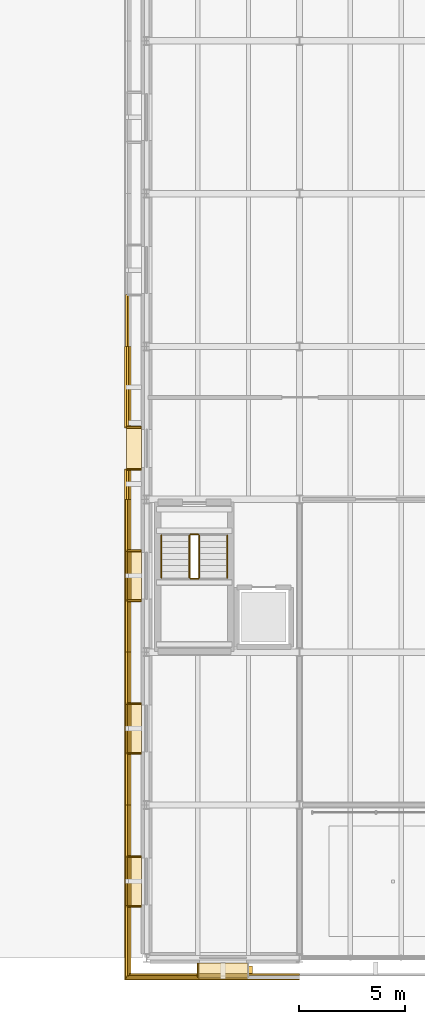
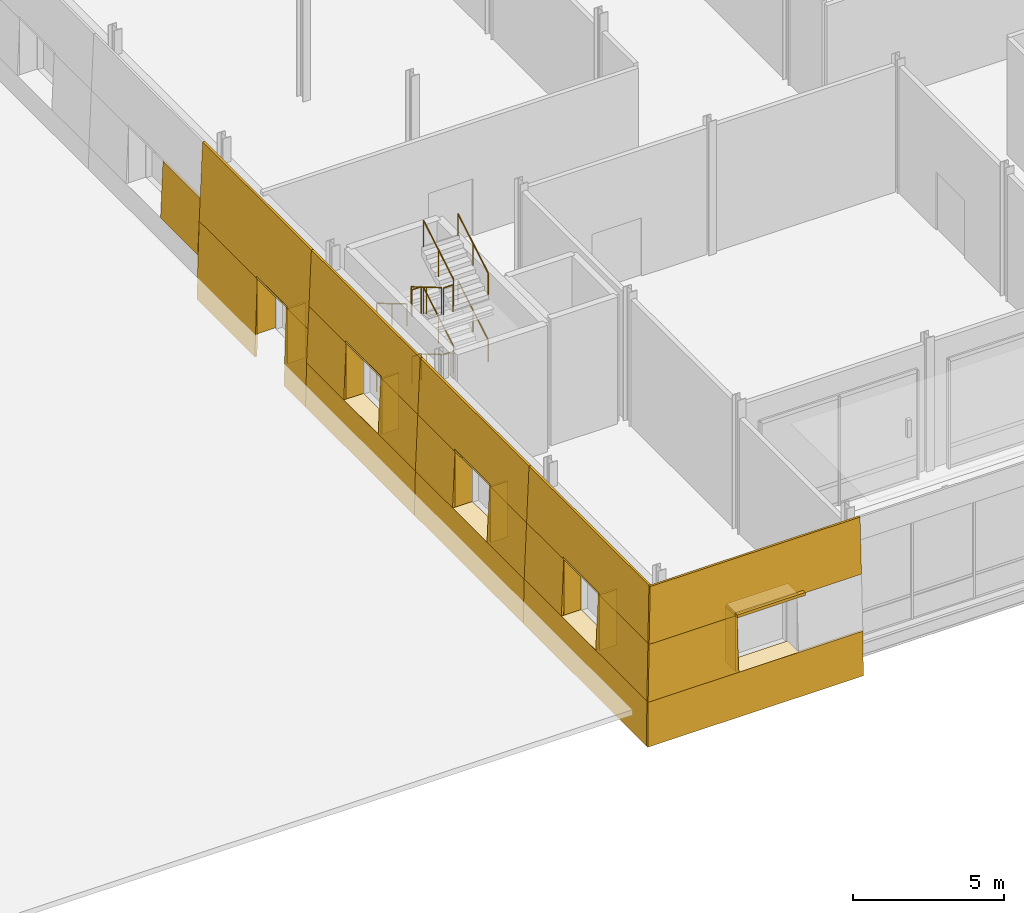
# One storey, part 104 of 120: 37 coverings, 12 railings, 1 shading device.
"""IFC4 building model written with IfcOpenShell, lengths in metres."""

from ifc_helpers import new_model, si_unit, direction, frame, origin, origin_2d, place, context, subcontext, project, spatial, polyline, rectangle, circle, outline, extrude, material, layer, layer_set, type_object, element, save


model = new_model("IFC4")

# Units and contexts
model_context = context("Model", 3, precision=1e-05, world=origin(), true_north=direction((0.0, 1.0)))
body_context = subcontext(model_context, "Body", "Model", "MODEL_VIEW")
ifc_project = project(units=[si_unit("LENGTHUNIT", "METRE"), si_unit("AREAUNIT", "SQUARE_METRE"), si_unit("VOLUMEUNIT", "CUBIC_METRE"), si_unit("PLANEANGLEUNIT", "RADIAN"), si_unit("MASSUNIT", "GRAM", prefix="KILO")], contexts=[model_context])

# Site, building, storey
site_placement = place(None, origin())
site = spatial("IfcSite", under=ifc_project, at=site_placement, CompositionType="ELEMENT")
building_placement = place(site_placement, origin())
building = spatial("IfcBuilding", under=site, at=building_placement, Name="Narikvali Park Central Library", CompositionType="ELEMENT")
storey_placement = place(building_placement, origin())
storey = spatial("IfcBuildingStorey", under=building, at=storey_placement, Name="L00", CompositionType="ELEMENT", Elevation=0.0)

# Coverings
ifc_material_1 = material(Name="White Honed Limestone Cladding", Category="masonry")
ifc_layer_1 = layer(ifc_material_1, 0.0849609375, Name="White Honed Limestone Cladding")
ifc_layer_set_1 = layer_set([ifc_layer_1], Name="White Honed Limestone Cladding")
covering_type_1 = type_object("IfcCoveringType", Name="Battered White Limestone Facade Cladding Panel", PredefinedType="CLADDING", material=ifc_layer_set_1)
covering_1_placement = place(storey_placement, frame((121.360107421875, -1.0400390625, -0.8798828125), z_axis=(0.0, -0.999785548483, 0.020708863899), x_axis=(1.0, 0.0, 0.0)))
element("IfcCovering", 1, at=covering_1_placement, inside=storey, type_object=covering_type_1, Name="V6 L00 S Battered Limestone Spandrel B01", PredefinedType="CLADDING", context=body_context, shape_type="SweptSolid", body=[
    extrude(outline(polyline([(0.0, 0.0), (8.239990234375, 0.0), (8.239990234375, 1.7801669157450828), (0.03662109375, 1.7801669157450828), (0.0, 0.0)])), origin(), (0.0, 0.0, -1.0), 0.0849609375),
])
covering_2_placement = place(storey_placement, frame((121.489013671875, -0.9111328125, 3.14990234375), z_axis=(0.0, -0.999164352475, 0.040872934124), x_axis=(1.0, 0.0, 0.0)))
element("IfcCovering", 2, at=covering_2_placement, inside=storey, type_object=covering_type_1, Name="V6 L00 S Battered Limestone Lintel B01", PredefinedType="CLADDING", context=body_context, shape_type="SweptSolid", body=[
    extrude(outline(polyline([(0.0, 0.0), (8.111083984375, 0.0), (8.111083984375, 2.2518817794363186), (0.092041015625, 2.2518817794363186), (0.0, 0.0)])), origin(), (0.0, 0.0, -1.0), 0.0849609375),
])
covering_3_placement = place(storey_placement, frame((121.396728515625, -1.003173828125, 0.89990234375), z_axis=(0.0, -0.999164352475, 0.040872934124), x_axis=(1.0, 0.0, 0.0)))
element("IfcCovering", 3, at=covering_3_placement, inside=storey, type_object=covering_type_1, Name="V6 L00 S Battered Limestone Jamb Pier L B01", PredefinedType="CLADDING", context=body_context, shape_type="SweptSolid", body=[
    extrude(outline(polyline([(0.0, 0.0), (3.46337890625, 0.0), (3.46337890625, 2.251881779436319), (0.09228515625, 2.251881779436319), (0.0, 0.0)])), origin(), (0.0, 0.0, -1.0), 0.0849609375),
])
covering_4_placement = place(storey_placement, frame((121.396728515625, 31.260009765625, 0.89990234375), z_axis=(-0.999159919044, 0.0, 0.040981168555), x_axis=(0.0, -1.0, 0.0)))
element("IfcCovering", 4, at=covering_4_placement, inside=storey, type_object=covering_type_1, Name="V6 L00 W Battered Limestone Jamb Pier R B03", PredefinedType="CLADDING", context=body_context, shape_type="SweptSolid", body=[
    extrude(outline(polyline([(0.0, 0.0), (2.4599609375, 0.0), (2.4599609375, 2.2518917713922413), (0.0, 2.2518917713922413), (0.0, 0.0)])), origin(), (0.0, 0.0, -1.0), 0.0849609375),
])
covering_5_placement = place(storey_placement, frame((121.360107421875, 28.800048828125, -0.8798828125), z_axis=(-0.999569712805, 0.0, 0.029332392386), x_axis=(0.0, -1.0, 0.0)))
element("IfcCovering", 5, at=covering_5_placement, inside=storey, type_object=covering_type_1, Name="V6 L00 W Battered Portal Pier L B04", PredefinedType="CLADDING", context=body_context, shape_type="SweptSolid", body=[
    extrude(outline(polyline([(0.0, 0.0), (3.840087890625, 0.0), (3.840087890625, 3.1212160661813586), (0.0, 3.1212160661813586), (0.0, 0.0)])), origin(), (0.0, 0.0, -1.0), 0.0849609375),
])
covering_6_placement = place(storey_placement, frame((121.360107421875, 23.0400390625, -0.8798828125), z_axis=(-0.999569712805, 0.0, 0.029332392386), x_axis=(0.0, -1.0, 0.0)))
element("IfcCovering", 6, at=covering_6_placement, inside=storey, type_object=covering_type_1, Name="V6 L00 W Battered Portal Pier R B04", PredefinedType="CLADDING", context=body_context, shape_type="SweptSolid", body=[
    extrude(outline(polyline([(0.0, 0.0), (1.43994140625, 0.0), (1.43994140625, 3.1212160661813586), (0.0, 3.1212160661813586), (0.0, 0.0)])), origin(), (0.0, 0.0, -1.0), 0.0849609375),
])
covering_7_placement = place(storey_placement, frame((121.45166015625, 28.800048828125, 2.239990234375), z_axis=(-0.9991626518, 0.0, 0.040914487016), x_axis=(0.0, -1.0, 0.0)))
element("IfcCovering", 7, at=covering_7_placement, inside=storey, type_object=covering_type_1, Name="V6 L00 W Battered Portal Header B04", PredefinedType="CLADDING", context=body_context, shape_type="SweptSolid", body=[
    extrude(outline(polyline([(0.0, 0.0), (7.199951171875, 0.0), (7.199951171875, 3.162560273527158), (0.0, 3.162560273527158), (0.0, 0.0)])), origin(), (0.0, 0.0, -1.0), 0.0849609375),
])
covering_8_placement = place(storey_placement, frame((121.360107421875, 21.60009765625, -0.8798828125), z_axis=(-0.999788378597, 0.0, 0.020571777337), x_axis=(0.0, -1.0, 0.0)))
element("IfcCovering", 8, at=covering_8_placement, inside=storey, type_object=covering_type_1, Name="V6 L00 W Battered Limestone Spandrel B05", PredefinedType="CLADDING", context=body_context, shape_type="SweptSolid", body=[
    extrude(outline(polyline([(0.0, 0.0), (7.2001953125, 0.0), (7.2001953125, 1.7801618766042835), (0.0, 1.7801618766042835), (0.0, 0.0)])), origin(), (0.0, 0.0, -1.0), 0.0849609375),
])
covering_9_placement = place(storey_placement, frame((121.489013671875, 21.60009765625, 3.14990234375), z_axis=(-0.999164352475, 0.0, 0.040872934124), x_axis=(0.0, -1.0, 0.0)))
element("IfcCovering", 9, at=covering_9_placement, inside=storey, type_object=covering_type_1, Name="V6 L00 W Battered Limestone Lintel B05", PredefinedType="CLADDING", context=body_context, shape_type="SweptSolid", body=[
    extrude(outline(polyline([(0.0, 0.0), (7.2001953125, 0.0), (7.2001953125, 2.2518817794363186), (0.0, 2.2518817794363186), (0.0, 0.0)])), origin(), (0.0, 0.0, -1.0), 0.0849609375),
])
for number, where, z_axis, x_axis, name in (
    (10, (121.396728515625, 21.60009765625, 0.89990234375), (-0.999159919044, 0.0, 0.040981168555), (0.0, -1.0, 0.0), "V6 L00 W Battered Limestone Jamb Pier L B05"),
    (11, (121.396728515625, 16.860107421875, 0.89990234375), (-0.999159919044, 0.0, 0.040981168555), (0.0, -1.0, 0.0), "V6 L00 W Battered Limestone Jamb Pier R B05"),
):
    element("IfcCovering", number, at=place(storey_placement, frame(where, z_axis=z_axis, x_axis=x_axis)), inside=storey, type_object=covering_type_1, Name=name, PredefinedType="CLADDING", context=body_context, shape_type="SweptSolid", body=[
        extrude(outline(polyline([(0.0, 0.0), (2.460205078125, 0.0), (2.460205078125, 2.2518917713922413), (0.0, 2.2518917713922413), (0.0, 0.0)])), origin(), (0.0, 0.0, -1.0), 0.0849609375),
    ])
covering_10_placement = place(storey_placement, frame((121.360107421875, 14.39990234375, -0.8798828125), z_axis=(-0.999788378597, 0.0, 0.020571777337), x_axis=(0.0, -1.0, 0.0)))
element("IfcCovering", 12, at=covering_10_placement, inside=storey, type_object=covering_type_1, Name="V6 L00 W Battered Limestone Spandrel B06", PredefinedType="CLADDING", context=body_context, shape_type="SweptSolid", body=[
    extrude(outline(polyline([(0.0, 0.0), (7.199951171875, 0.0), (7.199951171875, 1.7801618766042835), (0.0, 1.7801618766042835), (0.0, 0.0)])), origin(), (0.0, 0.0, -1.0), 0.0849609375),
])
covering_11_placement = place(storey_placement, frame((121.489013671875, 14.39990234375, 3.14990234375), z_axis=(-0.999164352475, 0.0, 0.040872934124), x_axis=(0.0, -1.0, 0.0)))
element("IfcCovering", 13, at=covering_11_placement, inside=storey, type_object=covering_type_1, Name="V6 L00 W Battered Limestone Lintel B06", PredefinedType="CLADDING", context=body_context, shape_type="SweptSolid", body=[
    extrude(outline(polyline([(0.0, 0.0), (7.199951171875, 0.0), (7.199951171875, 2.2518817794363186), (0.0, 2.2518817794363186), (0.0, 0.0)])), origin(), (0.0, 0.0, -1.0), 0.0849609375),
])
for number, where, z_axis, x_axis, name in (
    (14, (121.396728515625, 14.39990234375, 0.89990234375), (-0.999159919044, 0.0, 0.040981168555), (0.0, -1.0, 0.0), "V6 L00 W Battered Limestone Jamb Pier L B06"),
    (15, (121.396728515625, 9.659912109375, 0.89990234375), (-0.999159919044, 0.0, 0.040981168555), (0.0, -1.0, 0.0), "V6 L00 W Battered Limestone Jamb Pier R B06"),
):
    element("IfcCovering", number, at=place(storey_placement, frame(where, z_axis=z_axis, x_axis=x_axis)), inside=storey, type_object=covering_type_1, Name=name, PredefinedType="CLADDING", context=body_context, shape_type="SweptSolid", body=[
        extrude(outline(polyline([(0.0, 0.0), (2.4599609375, 0.0), (2.4599609375, 2.2518917713922413), (0.0, 2.2518917713922413), (0.0, 0.0)])), origin(), (0.0, 0.0, -1.0), 0.0849609375),
    ])
covering_12_placement = place(storey_placement, frame((121.360107421875, 7.199951171875, -0.8798828125), z_axis=(-0.999788378597, 0.0, 0.020571777337), x_axis=(0.0, -1.0, 0.0)))
element("IfcCovering", 16, at=covering_12_placement, inside=storey, type_object=covering_type_1, Name="V6 L00 W Battered Limestone Spandrel B07", PredefinedType="CLADDING", context=body_context, shape_type="SweptSolid", body=[
    extrude(outline(polyline([(0.0, 0.0), (8.155029296875, 0.0), (8.1181640625, 1.7801618766042833), (0.0, 1.7801618766042833), (0.0, 0.0)])), origin(), (0.0, 0.0, -1.0), 0.0849609375),
])
covering_13_placement = place(storey_placement, frame((121.489013671875, 7.199951171875, 3.14990234375), z_axis=(-0.999164352475, 0.0, 0.040872934124), x_axis=(0.0, -1.0, 0.0)))
element("IfcCovering", 17, at=covering_13_placement, inside=storey, type_object=covering_type_1, Name="V6 L00 W Battered Limestone Lintel B07", PredefinedType="CLADDING", context=body_context, shape_type="SweptSolid", body=[
    extrude(outline(polyline([(0.0, 0.0), (8.026123046875, 0.0), (7.933837890625, 2.251881779436319), (0.0, 2.251881779436319), (0.0, 0.0)])), origin(), (0.0, 0.0, -1.0), 0.0849609375),
])
covering_14_placement = place(storey_placement, frame((121.396728515625, 7.199951171875, 0.89990234375), z_axis=(-0.999159919044, 0.0, 0.040981168555), x_axis=(0.0, -1.0, 0.0)))
element("IfcCovering", 18, at=covering_14_placement, inside=storey, type_object=covering_type_1, Name="V6 L00 W Battered Limestone Jamb Pier L B07", PredefinedType="CLADDING", context=body_context, shape_type="SweptSolid", body=[
    extrude(outline(polyline([(0.0, 0.0), (2.4599609375, 0.0), (2.4599609375, 2.2518917713922413), (0.0, 2.2518917713922413), (0.0, 0.0)])), origin(), (0.0, 0.0, -1.0), 0.0849609375),
])
covering_15_placement = place(storey_placement, frame((121.396728515625, 2.4599609375, 0.89990234375), z_axis=(-0.999159919044, 0.0, 0.040981168555), x_axis=(0.0, -1.0, 0.0)))
element("IfcCovering", 19, at=covering_15_placement, inside=storey, type_object=covering_type_1, Name="V6 L00 W Battered Limestone Jamb Pier R B07", PredefinedType="CLADDING", context=body_context, shape_type="SweptSolid", body=[
    extrude(outline(polyline([(0.0, 0.0), (3.378173828125, 0.0), (3.2861328125, 2.2518917713922413), (0.0, 2.2518917713922413), (0.0, 0.0)])), origin(), (0.0, 0.0, -1.0), 0.0849609375),
])

# Shading device
ifc_material_2 = material(Name="Anodised Bronze Aluminium", Category="aluminium")
ifc_layer_2 = layer(ifc_material_2, 0.1201171875, Name="Anodised Bronze Aluminium")
ifc_layer_set_2 = layer_set([ifc_layer_2], Name="Anodised Bronze Aluminium")
shading_device_type = type_object("IfcShadingDeviceType", Name="Bronze Classical Cornice Sun Brise-Soleil 650", PredefinedType="SHUTTER", material=ifc_layer_set_2)
shading_device_placement = place(storey_placement, frame((126.076904296875, -0.719970703125, 3.14990234375), z_axis=(0.0, 0.0, 1.0), x_axis=(1.0, 0.0, 0.0)))
element("IfcShadingDevice", 20, at=shading_device_placement, inside=storey, type_object=shading_device_type, Name="V6 L00 Classical Bronze Brise-Soleil 01", PredefinedType="SHUTTER", context=body_context, shape_type="SweptSolid", body=[
    extrude(rectangle(XDim=2.60009765625, YDim=0.64990234375, at=origin_2d()), origin(), (0.0, 0.0, 1.0), 0.1201171875),
])

# Coverings
ifc_layer_3 = layer(ifc_material_1, 0.080078125, Name="White Honed Limestone Cladding")
ifc_layer_set_3 = layer_set([ifc_layer_3], Name="White Honed Limestone Cladding")
covering_type_2 = type_object("IfcCoveringType", Name="Deep Carved White Limestone Window Reveal", PredefinedType="CLADDING", material=ifc_layer_set_3)
covering_16_placement = place(storey_placement, frame((0.0, 0.0, 3.14990234375)))
element("IfcCovering", 21, at=covering_16_placement, inside=storey, type_object=covering_type_2, Name="Deep Stone Reveal Head V6-RVL-L00-S-B01", PredefinedType="CLADDING", context=body_context, shape_type="SweptSolid", body=[
    extrude(outline(polyline([(124.820068359375, -0.2451171875), (127.179931640625, -0.2451171875), (127.179931640625, -0.9111328125), (124.820068359375, -0.9111328125), (124.820068359375, -0.2451171875)])), origin(), (0.0, 0.0, 1.0), 0.080078125),
])
covering_17_placement = place(storey_placement, frame((0.0, 0.0, 0.820068359375)))
element("IfcCovering", 22, at=covering_17_placement, inside=storey, type_object=covering_type_2, Name="Deep Stone Reveal Sill V6-RVL-L00-S-B01", PredefinedType="CLADDING", context=body_context, shape_type="SweptSolid", body=[
    extrude(outline(polyline([(124.820068359375, -0.2451171875), (127.179931640625, -0.2451171875), (127.179931640625, -1.003173828125), (124.820068359375, -1.003173828125), (124.820068359375, -0.2451171875)])), origin(), (0.0, 0.0, 1.0), 0.079833984375),
])
covering_18_placement = place(storey_placement, frame((0.0, 0.0, 0.89990234375)))
element("IfcCovering", 23, at=covering_18_placement, inside=storey, type_object=covering_type_2, Name="Deep Stone Reveal Jamb L V6-RVL-L00-S-B01", PredefinedType="CLADDING", context=body_context, shape_type="SweptSolid", body=[
    extrude(outline(polyline([(124.780029296875, -0.2451171875), (124.860107421875, -0.2451171875), (124.860107421875, -0.9111328125), (124.780029296875, -0.9111328125), (124.780029296875, -0.2451171875)])), origin(), (0.0, 0.0, 1.0), 2.25),
])
covering_19_placement = place(storey_placement, frame((0.0, 0.0, 2.239990234375)))
element("IfcCovering", 24, at=covering_19_placement, inside=storey, type_object=covering_type_2, Name="Deep Stone Reveal Head V6-RVL-L00-W-B04", PredefinedType="CLADDING", context=body_context, shape_type="SweptSolid", body=[
    extrude(outline(polyline([(122.155029296875, 25.0), (122.155029296875, 23.0), (121.45166015625, 23.0), (121.45166015625, 25.0), (122.155029296875, 25.0)])), origin(), (0.0, 0.0, 1.0), 0.080078125),
])
covering_20_placement = place(storey_placement, frame((0.0, 0.0, 0.02001953125)))
element("IfcCovering", 25, at=covering_20_placement, inside=storey, type_object=covering_type_2, Name="Deep Stone Reveal Jamb L V6-RVL-L00-W-B04", PredefinedType="CLADDING", context=body_context, shape_type="SweptSolid", body=[
    extrude(outline(polyline([(122.155029296875, 25.0400390625), (122.155029296875, 24.9599609375), (121.45166015625, 24.9599609375), (121.45166015625, 25.0400390625), (122.155029296875, 25.0400390625)])), origin(), (0.0, 0.0, 1.0), 2.219970703125),
])
covering_21_placement = place(storey_placement, frame((0.0, 0.0, 0.02001953125)))
element("IfcCovering", 26, at=covering_21_placement, inside=storey, type_object=covering_type_2, Name="Deep Stone Reveal Jamb R V6-RVL-L00-W-B04", PredefinedType="CLADDING", context=body_context, shape_type="SweptSolid", body=[
    extrude(outline(polyline([(122.155029296875, 23.0400390625), (122.155029296875, 22.9599609375), (121.45166015625, 22.9599609375), (121.45166015625, 23.0400390625), (122.155029296875, 23.0400390625)])), origin(), (0.0, 0.0, 1.0), 2.219970703125),
])
covering_22_placement = place(storey_placement, frame((0.0, 0.0, 3.14990234375)))
element("IfcCovering", 27, at=covering_22_placement, inside=storey, type_object=covering_type_2, Name="Deep Stone Reveal Head V6-RVL-L00-W-B05", PredefinedType="CLADDING", context=body_context, shape_type="SweptSolid", body=[
    extrude(outline(polyline([(122.155029296875, 19.179931640625), (122.155029296875, 16.820068359375), (121.489013671875, 16.820068359375), (121.489013671875, 19.179931640625), (122.155029296875, 19.179931640625)])), origin(), (0.0, 0.0, 1.0), 0.080078125),
])
covering_23_placement = place(storey_placement, frame((0.0, 0.0, 0.820068359375)))
element("IfcCovering", 28, at=covering_23_placement, inside=storey, type_object=covering_type_2, Name="Deep Stone Reveal Sill V6-RVL-L00-W-B05", PredefinedType="CLADDING", context=body_context, shape_type="SweptSolid", body=[
    extrude(outline(polyline([(122.155029296875, 19.179931640625), (122.155029296875, 16.820068359375), (121.396728515625, 16.820068359375), (121.396728515625, 19.179931640625), (122.155029296875, 19.179931640625)])), origin(), (0.0, 0.0, 1.0), 0.079833984375),
])
covering_24_placement = place(storey_placement, frame((0.0, 0.0, 0.89990234375)))
element("IfcCovering", 29, at=covering_24_placement, inside=storey, type_object=covering_type_2, Name="Deep Stone Reveal Jamb L V6-RVL-L00-W-B05", PredefinedType="CLADDING", context=body_context, shape_type="SweptSolid", body=[
    extrude(outline(polyline([(122.155029296875, 19.219970703125), (122.155029296875, 19.139892578125), (121.489013671875, 19.139892578125), (121.489013671875, 19.219970703125), (122.155029296875, 19.219970703125)])), origin(), (0.0, 0.0, 1.0), 2.25),
])
covering_25_placement = place(storey_placement, frame((0.0, 0.0, 0.89990234375)))
element("IfcCovering", 30, at=covering_25_placement, inside=storey, type_object=covering_type_2, Name="Deep Stone Reveal Jamb R V6-RVL-L00-W-B05", PredefinedType="CLADDING", context=body_context, shape_type="SweptSolid", body=[
    extrude(outline(polyline([(122.155029296875, 16.860107421875), (122.155029296875, 16.780029296875), (121.489013671875, 16.780029296875), (121.489013671875, 16.860107421875), (122.155029296875, 16.860107421875)])), origin(), (0.0, 0.0, 1.0), 2.25),
])
covering_26_placement = place(storey_placement, frame((0.0, 0.0, 3.14990234375)))
element("IfcCovering", 31, at=covering_26_placement, inside=storey, type_object=covering_type_2, Name="Deep Stone Reveal Head V6-RVL-L00-W-B06", PredefinedType="CLADDING", context=body_context, shape_type="SweptSolid", body=[
    extrude(outline(polyline([(122.155029296875, 11.97998046875), (122.155029296875, 9.6201171875), (121.489013671875, 9.6201171875), (121.489013671875, 11.97998046875), (122.155029296875, 11.97998046875)])), origin(), (0.0, 0.0, 1.0), 0.080078125),
])
covering_27_placement = place(storey_placement, frame((0.0, 0.0, 0.820068359375)))
element("IfcCovering", 32, at=covering_27_placement, inside=storey, type_object=covering_type_2, Name="Deep Stone Reveal Sill V6-RVL-L00-W-B06", PredefinedType="CLADDING", context=body_context, shape_type="SweptSolid", body=[
    extrude(outline(polyline([(122.155029296875, 11.97998046875), (122.155029296875, 9.6201171875), (121.396728515625, 9.6201171875), (121.396728515625, 11.97998046875), (122.155029296875, 11.97998046875)])), origin(), (0.0, 0.0, 1.0), 0.079833984375),
])
covering_28_placement = place(storey_placement, frame((0.0, 0.0, 0.89990234375)))
element("IfcCovering", 33, at=covering_28_placement, inside=storey, type_object=covering_type_2, Name="Deep Stone Reveal Jamb L V6-RVL-L00-W-B06", PredefinedType="CLADDING", context=body_context, shape_type="SweptSolid", body=[
    extrude(outline(polyline([(122.155029296875, 12.02001953125), (122.155029296875, 11.93994140625), (121.489013671875, 11.93994140625), (121.489013671875, 12.02001953125), (122.155029296875, 12.02001953125)])), origin(), (0.0, 0.0, 1.0), 2.25),
])
covering_29_placement = place(storey_placement, frame((0.0, 0.0, 0.89990234375)))
element("IfcCovering", 34, at=covering_29_placement, inside=storey, type_object=covering_type_2, Name="Deep Stone Reveal Jamb R V6-RVL-L00-W-B06", PredefinedType="CLADDING", context=body_context, shape_type="SweptSolid", body=[
    extrude(outline(polyline([(122.155029296875, 9.659912109375), (122.155029296875, 9.580078125), (121.489013671875, 9.580078125), (121.489013671875, 9.659912109375), (122.155029296875, 9.659912109375)])), origin(), (0.0, 0.0, 1.0), 2.25),
])
covering_30_placement = place(storey_placement, frame((0.0, 0.0, 3.14990234375)))
element("IfcCovering", 35, at=covering_30_placement, inside=storey, type_object=covering_type_2, Name="Deep Stone Reveal Head V6-RVL-L00-W-B07", PredefinedType="CLADDING", context=body_context, shape_type="SweptSolid", body=[
    extrude(outline(polyline([(122.155029296875, 4.780029296875), (122.155029296875, 2.419921875), (121.489013671875, 2.419921875), (121.489013671875, 4.780029296875), (122.155029296875, 4.780029296875)])), origin(), (0.0, 0.0, 1.0), 0.080078125),
])
covering_31_placement = place(storey_placement, frame((0.0, 0.0, 0.820068359375)))
element("IfcCovering", 36, at=covering_31_placement, inside=storey, type_object=covering_type_2, Name="Deep Stone Reveal Sill V6-RVL-L00-W-B07", PredefinedType="CLADDING", context=body_context, shape_type="SweptSolid", body=[
    extrude(outline(polyline([(122.155029296875, 4.780029296875), (122.155029296875, 2.419921875), (121.396728515625, 2.419921875), (121.396728515625, 4.780029296875), (122.155029296875, 4.780029296875)])), origin(), (0.0, 0.0, 1.0), 0.079833984375),
])
covering_32_placement = place(storey_placement, frame((0.0, 0.0, 0.89990234375)))
element("IfcCovering", 37, at=covering_32_placement, inside=storey, type_object=covering_type_2, Name="Deep Stone Reveal Jamb L V6-RVL-L00-W-B07", PredefinedType="CLADDING", context=body_context, shape_type="SweptSolid", body=[
    extrude(outline(polyline([(122.155029296875, 4.820068359375), (122.155029296875, 4.739990234375), (121.489013671875, 4.739990234375), (121.489013671875, 4.820068359375), (122.155029296875, 4.820068359375)])), origin(), (0.0, 0.0, 1.0), 2.25),
])
covering_33_placement = place(storey_placement, frame((0.0, 0.0, 0.89990234375)))
element("IfcCovering", 38, at=covering_33_placement, inside=storey, type_object=covering_type_2, Name="Deep Stone Reveal Jamb R V6-RVL-L00-W-B07", PredefinedType="CLADDING", context=body_context, shape_type="SweptSolid", body=[
    extrude(outline(polyline([(122.155029296875, 2.4599609375), (122.155029296875, 2.3798828125), (121.489013671875, 2.3798828125), (121.489013671875, 2.4599609375), (122.155029296875, 2.4599609375)])), origin(), (0.0, 0.0, 1.0), 2.25),
])

# Railings
ifc_material_3 = material(Name="Brushed Stainless Steel S355", Category="steel")
ifc_layer_4 = layer(ifc_material_3, 0.044921875, Name="Brushed Stainless Steel S355")
ifc_layer_set_4 = layer_set([ifc_layer_4], Name="Brushed Stainless Steel S355")
railing_type_1 = type_object("IfcRailingType", Name="Stair Tubular Steel Handrail 900", PredefinedType="HANDRAIL", material=ifc_layer_set_4)
railing_1_placement = place(storey_placement, frame((123.10009765625, 19.89990234375, 0.168701171875)))
element("IfcRailing", 39, at=railing_1_placement, inside=storey, type_object=railing_type_1, Name="L00 ST-11 stair handrail 1", PredefinedType="HANDRAIL", context=body_context, shape_type="SweptSolid", body=[
    extrude(circle(Radius=0.02392578125, at=origin_2d()), frame((0.0, 0.0, 0.8759765625), z_axis=(0.0, -0.860433472677, 0.509562792104), x_axis=(1.0, 0.0, 0.0)), (0.0, 0.0, 1.0), 2.318359375),
    extrude(circle(Radius=0.02099609375, at=origin_2d()), origin(), (0.0, 0.0, 1.0), 0.851806640625),
    extrude(circle(Radius=0.02099609375, at=origin_2d()), frame((0.0, -0.99755859375, 0.5908203125)), (0.0, 0.0, 1.0), 0.851806640625),
    extrude(circle(Radius=0.02099609375, at=origin_2d()), frame((0.0, -1.994873046875, 1.181396484375)), (0.0, 0.0, 1.0), 0.851806640625),
])
railing_2_placement = place(storey_placement, frame((126.199951171875, 17.905029296875, 1.518798828125)))
element("IfcRailing", 40, at=railing_2_placement, inside=storey, type_object=railing_type_1, Name="L00 ST-11 stair handrail 2", PredefinedType="HANDRAIL", context=body_context, shape_type="SweptSolid", body=[
    extrude(circle(Radius=0.02392578125, at=origin_2d()), frame((0.0, 0.0, 0.8759765625), z_axis=(0.0, 0.860479641326, 0.509484824959), x_axis=(-1.0, 0.0, 0.0)), (0.0, 0.0, 1.0), 2.318359375),
    extrude(circle(Radius=0.02099609375, at=origin_2d()), origin(), (0.0, 0.0, 1.0), 0.851806640625),
    extrude(circle(Radius=0.02099609375, at=origin_2d()), frame((0.0, 0.99755859375, 0.590576171875)), (0.0, 0.0, 1.0), 0.851806640625),
    extrude(circle(Radius=0.02099609375, at=origin_2d()), frame((0.0, 1.994873046875, 1.18115234375)), (0.0, 0.0, 1.0), 0.851806640625),
])
railing_3_placement = place(storey_placement, frame((123.10009765625, 19.89990234375, 2.86865234375)))
element("IfcRailing", 41, at=railing_3_placement, inside=storey, type_object=railing_type_1, Name="L00 ST-11 stair handrail 3", PredefinedType="HANDRAIL", context=body_context, shape_type="SweptSolid", body=[
    extrude(circle(Radius=0.02392578125, at=origin_2d()), frame((0.0, 0.0, 0.8759765625), z_axis=(0.0, -0.860433472677, 0.509562792104), x_axis=(1.0, 0.0, 0.0)), (0.0, 0.0, 1.0), 2.318359375),
    extrude(circle(Radius=0.02099609375, at=origin_2d()), origin(), (0.0, 0.0, 1.0), 0.851806640625),
    extrude(circle(Radius=0.02099609375, at=origin_2d()), frame((0.0, -0.99755859375, 0.5908203125)), (0.0, 0.0, 1.0), 0.851806640625),
    extrude(circle(Radius=0.02099609375, at=origin_2d()), frame((0.0, -1.994873046875, 1.181396484375)), (0.0, 0.0, 1.0), 0.851806640625),
])
railing_4_placement = place(storey_placement, frame((126.199951171875, 17.905029296875, 4.21875)))
element("IfcRailing", 42, at=railing_4_placement, inside=storey, type_object=railing_type_1, Name="L00 ST-11 stair handrail 4", PredefinedType="HANDRAIL", context=body_context, shape_type="SweptSolid", body=[
    extrude(circle(Radius=0.02392578125, at=origin_2d()), frame((0.0, 0.0, 0.8759765625), z_axis=(0.0, 0.860479641326, 0.509484824959), x_axis=(-1.0, 0.0, 0.0)), (0.0, 0.0, 1.0), 2.318359375),
    extrude(circle(Radius=0.02099609375, at=origin_2d()), origin(), (0.0, 0.0, 1.0), 0.851806640625),
    extrude(circle(Radius=0.02099609375, at=origin_2d()), frame((0.0, 0.99755859375, 0.590576171875)), (0.0, 0.0, 1.0), 0.851806640625),
    extrude(circle(Radius=0.02099609375, at=origin_2d()), frame((0.0, 1.994873046875, 1.18115234375)), (0.0, 0.0, 1.0), 0.851806640625),
])
ifc_material_4 = material(Name="Powder-Coated Steel S275", Category="steel")
ifc_layer_5 = layer(ifc_material_4, 0.050048828125, Name="Powder-Coated Steel S275")
ifc_layer_set_5 = layer_set([ifc_layer_5], Name="Powder-Coated Steel S275")
railing_type_2 = type_object("IfcRailingType", Name="Stair Well Steel Guardrail 1100", PredefinedType="GUARDRAIL", material=ifc_layer_set_5)
railing_5_placement = place(storey_placement, frame((124.419921875, 19.89990234375, 0.168701171875)))
element("IfcRailing", 43, at=railing_5_placement, inside=storey, type_object=railing_type_2, Name="L00 ST-11 stair guard 1", PredefinedType="GUARDRAIL", context=body_context, shape_type="SweptSolid", body=[
    extrude(circle(Radius=0.02392578125, at=origin_2d()), frame((0.0, 0.0, 1.076171875), z_axis=(0.0, -0.860433472677, 0.509562792104), x_axis=(1.0, 0.0, 0.0)), (0.0, 0.0, 1.0), 2.318359375),
    extrude(circle(Radius=0.02099609375, at=origin_2d()), origin(), (0.0, 0.0, 1.0), 1.052001953125),
    extrude(circle(Radius=0.02099609375, at=origin_2d()), frame((0.0, -0.99755859375, 0.5908203125)), (0.0, 0.0, 1.0), 1.052001953125),
    extrude(circle(Radius=0.02099609375, at=origin_2d()), frame((0.0, -1.994873046875, 1.181396484375)), (0.0, 0.0, 1.0), 1.052001953125),
])
railing_6_placement = place(storey_placement, frame((124.469970703125, 17.85498046875, 1.35009765625)))
element("IfcRailing", 44, at=railing_6_placement, inside=storey, type_object=railing_type_2, Name="L00 ST-11 stair guard 2", PredefinedType="GUARDRAIL", context=body_context, shape_type="SweptSolid", body=[
    extrude(circle(Radius=0.02392578125, at=origin_2d()), frame((0.0, 0.0, 1.076171875), z_axis=(1.0, 0.0, 0.0), x_axis=(0.0, 1.0, 0.0)), (0.0, 0.0, 1.0), 0.360107421875),
    extrude(circle(Radius=0.02099609375, at=origin_2d()), origin(), (0.0, 0.0, 1.0), 1.052001953125),
    extrude(circle(Radius=0.02099609375, at=origin_2d()), frame((0.360107421875, 0.0, 0.0)), (0.0, 0.0, 1.0), 1.052001953125),
])
railing_7_placement = place(storey_placement, frame((124.8798828125, 17.905029296875, 1.518798828125)))
element("IfcRailing", 45, at=railing_7_placement, inside=storey, type_object=railing_type_2, Name="L00 ST-11 stair guard 3", PredefinedType="GUARDRAIL", context=body_context, shape_type="SweptSolid", body=[
    extrude(circle(Radius=0.02392578125, at=origin_2d()), frame((0.0, 0.0, 1.076171875), z_axis=(0.0, 0.860479641326, 0.509484824959), x_axis=(-1.0, 0.0, 0.0)), (0.0, 0.0, 1.0), 2.318359375),
    extrude(circle(Radius=0.02099609375, at=origin_2d()), origin(), (0.0, 0.0, 1.0), 1.052001953125),
    extrude(circle(Radius=0.02099609375, at=origin_2d()), frame((0.0, 0.99755859375, 0.590576171875)), (0.0, 0.0, 1.0), 1.052001953125),
    extrude(circle(Radius=0.02099609375, at=origin_2d()), frame((0.0, 1.994873046875, 1.18115234375)), (0.0, 0.0, 1.0), 1.052001953125),
])
railing_8_placement = place(storey_placement, frame((124.469970703125, 19.949951171875, 2.699951171875)))
element("IfcRailing", 46, at=railing_8_placement, inside=storey, type_object=railing_type_2, Name="L00 ST-11 stair guard 4", PredefinedType="GUARDRAIL", context=body_context, shape_type="SweptSolid", body=[
    extrude(circle(Radius=0.02392578125, at=origin_2d()), frame((0.0, 0.0, 1.076171875), z_axis=(1.0, 0.0, 0.0), x_axis=(0.0, 1.0, 0.0)), (0.0, 0.0, 1.0), 0.360107421875),
    extrude(circle(Radius=0.02099609375, at=origin_2d()), origin(), (0.0, 0.0, 1.0), 1.052001953125),
    extrude(circle(Radius=0.02099609375, at=origin_2d()), frame((0.360107421875, 0.0, 0.0)), (0.0, 0.0, 1.0), 1.052001953125),
])
railing_9_placement = place(storey_placement, frame((124.419921875, 19.89990234375, 2.86865234375)))
element("IfcRailing", 47, at=railing_9_placement, inside=storey, type_object=railing_type_2, Name="L00 ST-11 stair guard 5", PredefinedType="GUARDRAIL", context=body_context, shape_type="SweptSolid", body=[
    extrude(circle(Radius=0.02392578125, at=origin_2d()), frame((0.0, 0.0, 1.076171875), z_axis=(0.0, -0.860433472677, 0.509562792104), x_axis=(1.0, 0.0, 0.0)), (0.0, 0.0, 1.0), 2.318359375),
    extrude(circle(Radius=0.02099609375, at=origin_2d()), origin(), (0.0, 0.0, 1.0), 1.052001953125),
    extrude(circle(Radius=0.02099609375, at=origin_2d()), frame((0.0, -0.99755859375, 0.5908203125)), (0.0, 0.0, 1.0), 1.052001953125),
    extrude(circle(Radius=0.02099609375, at=origin_2d()), frame((0.0, -1.994873046875, 1.181396484375)), (0.0, 0.0, 1.0), 1.052001953125),
])
railing_10_placement = place(storey_placement, frame((124.469970703125, 17.85498046875, 4.050048828125)))
element("IfcRailing", 48, at=railing_10_placement, inside=storey, type_object=railing_type_2, Name="L00 ST-11 stair guard 6", PredefinedType="GUARDRAIL", context=body_context, shape_type="SweptSolid", body=[
    extrude(circle(Radius=0.02392578125, at=origin_2d()), frame((0.0, 0.0, 1.076171875), z_axis=(1.0, 0.0, 0.0), x_axis=(0.0, 1.0, 0.0)), (0.0, 0.0, 1.0), 0.360107421875),
    extrude(circle(Radius=0.02099609375, at=origin_2d()), origin(), (0.0, 0.0, 1.0), 1.052001953125),
    extrude(circle(Radius=0.02099609375, at=origin_2d()), frame((0.360107421875, 0.0, 0.0)), (0.0, 0.0, 1.0), 1.052001953125),
])
railing_11_placement = place(storey_placement, frame((124.8798828125, 17.905029296875, 4.21875)))
element("IfcRailing", 49, at=railing_11_placement, inside=storey, type_object=railing_type_2, Name="L00 ST-11 stair guard 7", PredefinedType="GUARDRAIL", context=body_context, shape_type="SweptSolid", body=[
    extrude(circle(Radius=0.02392578125, at=origin_2d()), frame((0.0, 0.0, 1.076171875), z_axis=(0.0, 0.860479641326, 0.509484824959), x_axis=(-1.0, 0.0, 0.0)), (0.0, 0.0, 1.0), 2.318359375),
    extrude(circle(Radius=0.02099609375, at=origin_2d()), origin(), (0.0, 0.0, 1.0), 1.052001953125),
    extrude(circle(Radius=0.02099609375, at=origin_2d()), frame((0.0, 0.99755859375, 0.590576171875)), (0.0, 0.0, 1.0), 1.052001953125),
    extrude(circle(Radius=0.02099609375, at=origin_2d()), frame((0.0, 1.994873046875, 1.18115234375)), (0.0, 0.0, 1.0), 1.052001953125),
])
railing_12_placement = place(storey_placement, frame((124.469970703125, 19.949951171875, 0.0)))
element("IfcRailing", 50, at=railing_12_placement, inside=storey, type_object=railing_type_2, Name="L00 ST-11 stair guard 8", PredefinedType="GUARDRAIL", context=body_context, shape_type="SweptSolid", body=[
    extrude(circle(Radius=0.02392578125, at=origin_2d()), frame((0.0, 0.0, 1.076171875), z_axis=(1.0, 0.0, 0.0), x_axis=(0.0, 1.0, 0.0)), (0.0, 0.0, 1.0), 0.360107421875),
    extrude(circle(Radius=0.02099609375, at=origin_2d()), origin(), (0.0, 0.0, 1.0), 1.052001953125),
    extrude(circle(Radius=0.02099609375, at=origin_2d()), frame((0.360107421875, 0.0, 0.0)), (0.0, 0.0, 1.0), 1.052001953125),
])

save(model, "model.ifc")
